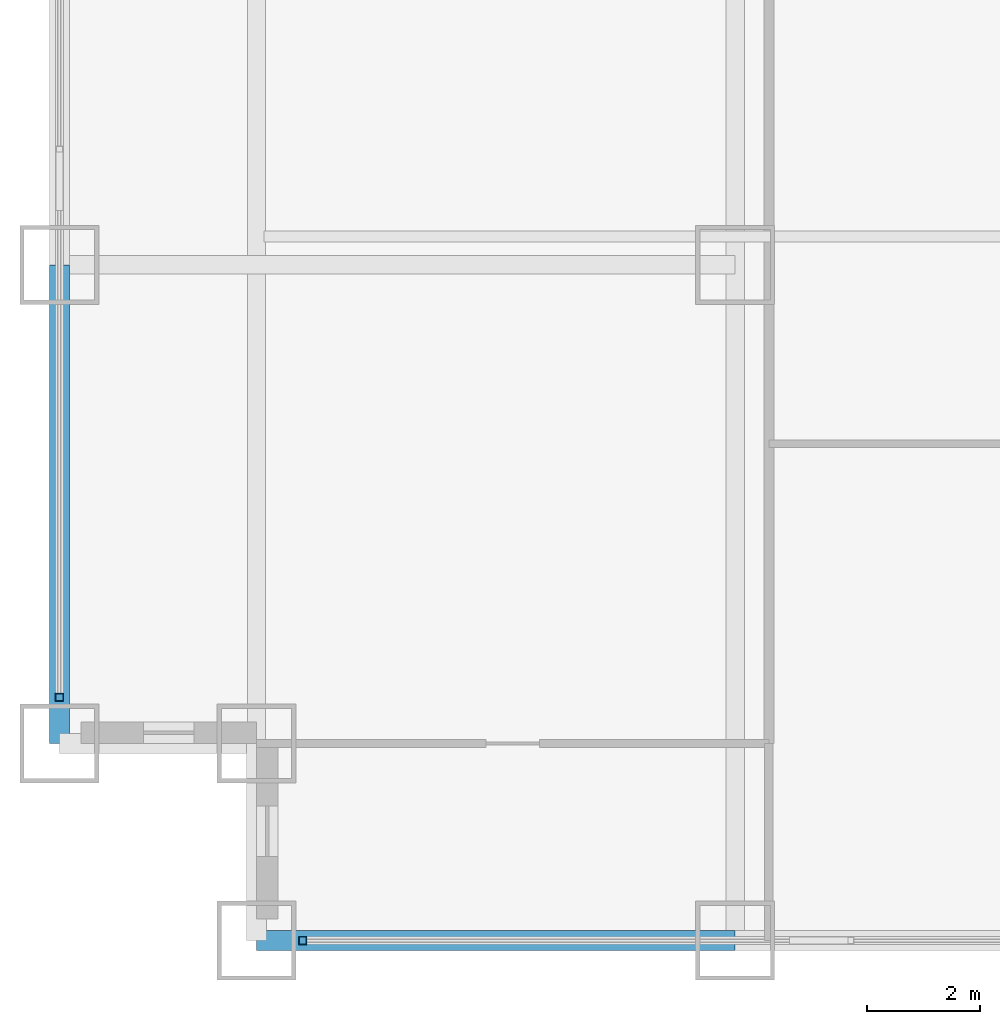
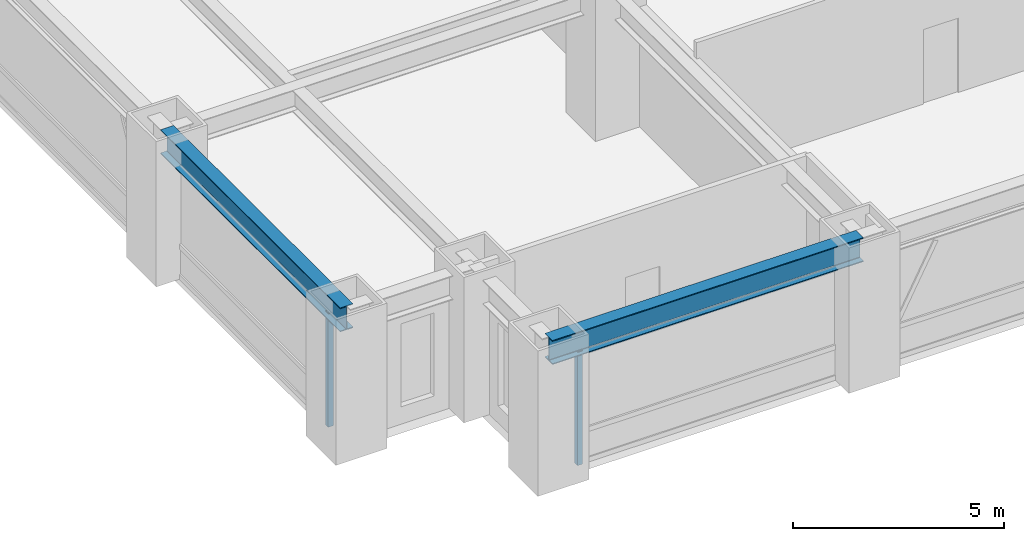
# One storey, part 2 of 28: 2 beams, 2 members, 2 elements without a shape of their own.
"""IFC4 building model written with IfcOpenShell, lengths in metres."""

from ifc_helpers import new_model, si_unit, direction, frame, origin, origin_2d, place, context, subcontext, project, spatial, hollow_rectangle, i_section, extrude, source, transform, mapped, material, material_profile, profile_set, type_object, element, aggregate, save


model = new_model("IFC4")

# Units and contexts
model_context = context("Model", 3, precision=1e-05, world=origin(), true_north=direction((0.0, 1.0)))
body_context = subcontext(model_context, "Body", "Model", "MODEL_VIEW")
ifc_project = project(units=[si_unit("LENGTHUNIT", "METRE"), si_unit("AREAUNIT", "SQUARE_METRE"), si_unit("VOLUMEUNIT", "CUBIC_METRE"), si_unit("PLANEANGLEUNIT", "RADIAN"), si_unit("MASSUNIT", "GRAM", prefix="KILO")], contexts=[model_context])

# Site, building, storey
site_placement = place(None, origin())
site = spatial("IfcSite", under=ifc_project, at=site_placement, CompositionType="ELEMENT")
building_placement = place(site_placement, origin())
building = spatial("IfcBuilding", under=site, at=building_placement, Name="Khorayat Bourse Tower", CompositionType="ELEMENT")
storey_placement = place(building_placement, frame((0.0, 0.0, 57.800048828125)))
storey = spatial("IfcBuildingStorey", under=building, at=storey_placement, Name="L12", CompositionType="ELEMENT", Elevation=57.800048828125)

# Beams
ifc_material_1 = material(Name="Steel ASTM A992 Grade 50", Category="steel")
ifc_material_profile_1 = material_profile(ifc_material_1, i_section(OverallWidth=0.35498046875, OverallDepth=0.695068359375, WebThickness=0.015380859375, FlangeThickness=0.02490234375, FilletRadius=0.01806640625, at=origin_2d()), Name="W690X217")
ifc_profile_set_1 = profile_set([ifc_material_profile_1], Name="Steel ASTM A992 Grade 50")
beam_type = type_object("IfcBeamType", Name="BM-SPAN-690", PredefinedType="SPANDREL", material=ifc_profile_set_1)
shared_shape_1 = source(origin(), body_context, "Body", "SweptSolid", [
    extrude(i_section(OverallWidth=0.35498046875, OverallDepth=0.695068359375, WebThickness=0.015380859375, FlangeThickness=0.02490234375, FilletRadius=0.01806640625, at=origin_2d()), origin(), (0.0, 0.0, 1.0), 8.5),
])
for number, where, z_axis, x_axis, name in (
    (1, (-28.5, -32.0, 3.592529296875), (1.0, 0.0, 0.0), (0.0, 1.0, 0.0), "L12 BM-SPAN-690 BM-L12-SPN-024"),
    (2, (-32.0, -28.5, 3.592529296875), (0.0, 1.0, 0.0), (-1.0, 0.0, 0.0), "L12 BM-SPAN-690 BM-L12-SPN-061"),
):
    element("IfcBeam", number, at=place(storey_placement, frame(where, z_axis=z_axis, x_axis=x_axis)), inside=storey, type_object=beam_type, Name=name, PredefinedType="SPANDREL", context=body_context, shape_type="MappedRepresentation", body=[
        mapped(shared_shape_1, transform((0.0, 0.0, 0.0), scale=1.0)),
    ])

# Curtain wall, member
ifc_material_2 = material(Name="Aluminium EN AW-6063 T6", Category="aluminium")
curtain_wall_type = type_object("IfcCurtainWallType", Name="CW-SYS-02", PredefinedType="NOTDEFINED", material=ifc_material_2)
curtain_wall_1_placement = place(storey_placement, origin())
curtain_wall_1 = element("IfcCurtainWall", 3, at=curtain_wall_1_placement, inside=storey, type_object=curtain_wall_type, Name="L12 Curtain Wall CW-L12-S1", PredefinedType="NOTDEFINED")
ifc_material_profile_2 = material_profile(ifc_material_2, hollow_rectangle(XDim=0.139892578125, YDim=0.139892578125, WallThickness=0.006103515625, at=origin_2d()), Name="ALU 140x140x6")
ifc_profile_set_2 = profile_set([ifc_material_profile_2], Name="Aluminium EN AW-6063 T6")
member_type = type_object("IfcMemberType", Name="CWM-VERT-140", PredefinedType="MULLION", material=ifc_profile_set_2)
shared_shape_2 = source(origin(), body_context, "Body", "SweptSolid", [
    extrude(hollow_rectangle(XDim=0.139892578125, YDim=0.139892578125, WallThickness=0.006103515625, at=origin_2d()), origin(), (0.0, 0.0, 1.0), 3.2900390625),
])
member_1_placement = place(storey_placement, frame((-27.679931640625, -32.0, 0.0), z_axis=(0.0, 0.0, 1.0), x_axis=(0.0, 1.0, 0.0)))
member_1 = element("IfcMember", 4, at=member_1_placement, type_object=member_type, Name="CW-L12-S1 Vertical Mullion 1", PredefinedType="MULLION", context=body_context, shape_type="MappedRepresentation", body=[
    mapped(shared_shape_2, transform((0.0, 0.0, 0.0), scale=1.0)),
])
aggregate(curtain_wall_1, [member_1])

curtain_wall_2_placement = place(storey_placement, origin())
curtain_wall_2 = element("IfcCurtainWall", 5, at=curtain_wall_2_placement, inside=storey, type_object=curtain_wall_type, Name="L12 Curtain Wall CW-L12-W1", PredefinedType="NOTDEFINED")
member_2_placement = place(storey_placement, frame((-32.0, -27.679931640625, 0.0), z_axis=(0.0, 0.0, 1.0), x_axis=(-1.0, 0.0, 0.0)))
member_2 = element("IfcMember", 6, at=member_2_placement, type_object=member_type, Name="CW-L12-W1 Vertical Mullion 1", PredefinedType="MULLION", context=body_context, shape_type="MappedRepresentation", body=[
    mapped(shared_shape_2, transform((0.0, 0.0, 0.0), scale=1.0)),
])
aggregate(curtain_wall_2, [member_2])

save(model, "model.ifc")
